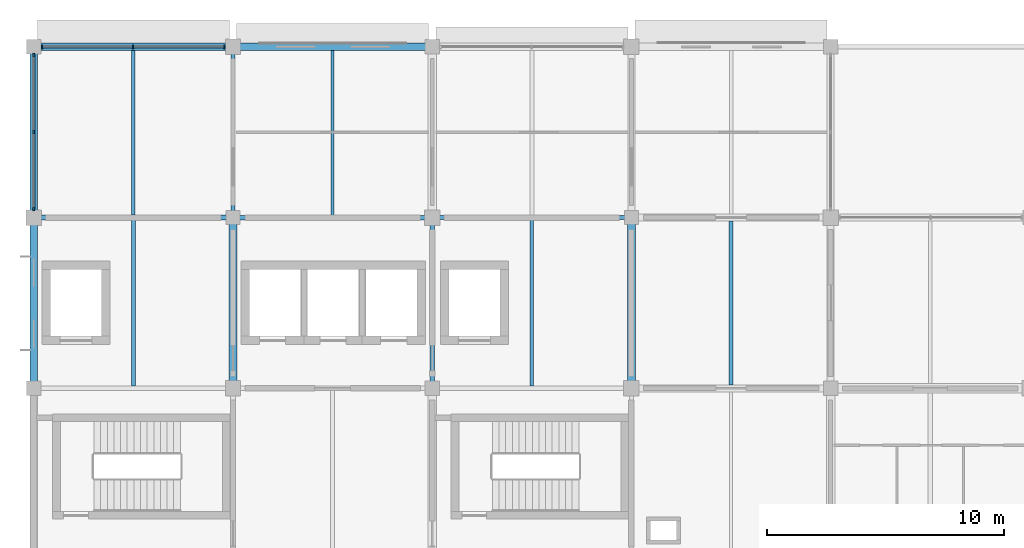
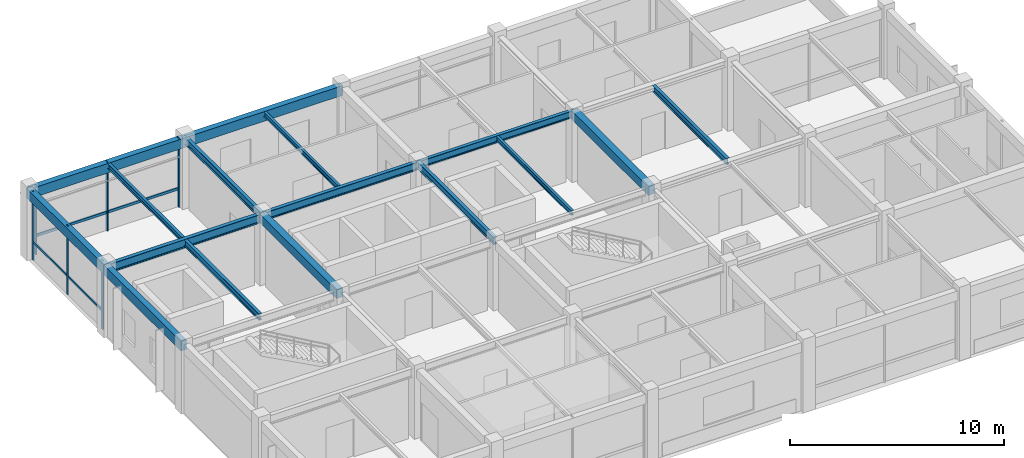
# One storey, part 4 of 13: 16 beams, 10 members, 2 elements without a shape of their own.
"""IFC4 building model written with IfcOpenShell, lengths in metres."""

from ifc_helpers import new_model, si_unit, derived_unit, direction, frame, origin, origin_2d, place, context, subcontext, project, spatial, rectangle, i_section, extrude, material, material_profile, profile_set, type_object, element, aggregate, save


model = new_model("IFC4")

# Units and contexts
model_context = context("Model", 3, precision=1e-05, world=origin(), true_north=direction((0.0, 1.0)))
body_context = subcontext(model_context, "Body", "Model", "MODEL_VIEW")
ifc_project = project(units=[si_unit("LENGTHUNIT", "METRE"), si_unit("AREAUNIT", "SQUARE_METRE"), si_unit("VOLUMEUNIT", "CUBIC_METRE"), si_unit("PLANEANGLEUNIT", "RADIAN"), si_unit("MASSUNIT", "GRAM", prefix="KILO"), derived_unit("THERMALTRANSMITTANCEUNIT", [(si_unit("MASSUNIT", "GRAM", prefix="KILO"), 1), (si_unit("TIMEUNIT", "SECOND"), -3), (si_unit("THERMODYNAMICTEMPERATUREUNIT", "KELVIN"), -1)])], contexts=[model_context])

# Site, building, storey
site_placement = place(None, origin())
site = spatial("IfcSite", under=ifc_project, at=site_placement, CompositionType="ELEMENT")
building_placement = place(site_placement, origin())
building = spatial("IfcBuilding", under=site, at=building_placement, Name="Veldstrom Oceanarium and Marine Research Institute", CompositionType="ELEMENT")
storey_placement = place(building_placement, frame((0.0, 0.0, 52.199951171875)))
storey = spatial("IfcBuildingStorey", under=building, at=storey_placement, Name="L11", CompositionType="ELEMENT", Elevation=52.199951171875)

# Curtain wall, members
ifc_material_1 = material(Name="Anodised Aluminium Framing", Category="aluminium")
curtain_wall_type_1 = type_object("IfcCurtainWallType", Name="ARC-CW-CW04", PredefinedType="USERDEFINED", material=ifc_material_1)
curtain_wall_1_placement = place(storey_placement, origin())
curtain_wall_1 = element("IfcCurtainWall", 1, at=curtain_wall_1_placement, inside=storey, type_object=curtain_wall_type_1, Name="Curtain Wall CW04 CW-L11-151", ObjectType="Curtain wall", PredefinedType="USERDEFINED")
ifc_material_2 = material(Name="Anodised Aluminium Framing", Category="aluminium")
ifc_material_profile_1 = material_profile(ifc_material_2, rectangle(XDim=0.06494140625, YDim=0.14990234375, at=origin_2d()), Name="ALU-MUL-65x150")
ifc_profile_set_1 = profile_set([ifc_material_profile_1], Name="Anodised Aluminium Framing")
member_type_1 = type_object("IfcMemberType", Name="ARC-MUL-ML2", PredefinedType="MULLION", material=ifc_profile_set_1)
member_1_placement = place(storey_placement, frame((75.93994140625, 72.0, 0.0), z_axis=(0.0, 0.0, 1.0), x_axis=(1.0, 0.0, 0.0)))
member_1 = element("IfcMember", 2, at=member_1_placement, type_object=member_type_1, Name="Curtain Wall Mullion CW-L11-151-MUL-1", PredefinedType="MULLION", context=body_context, shape_type="SweptSolid", body=[
    extrude(rectangle(XDim=0.06494140625, YDim=0.14990234375, at=origin_2d()), origin(), (0.0, 0.0, 1.0), 3.920166015625),
])
member_2_placement = place(storey_placement, frame((79.78759765625, 72.0, 0.0), z_axis=(0.0, 0.0, 1.0), x_axis=(1.0, 0.0, 0.0)))
member_2 = element("IfcMember", 3, at=member_2_placement, type_object=member_type_1, Name="Curtain Wall Mullion CW-L11-151-MUL-2", PredefinedType="MULLION", context=body_context, shape_type="SweptSolid", body=[
    extrude(rectangle(XDim=0.06494140625, YDim=0.14990234375, at=origin_2d()), origin(), (0.0, 0.0, 1.0), 3.920166015625),
])
member_3_placement = place(storey_placement, frame((83.635009765625, 72.0, 0.0), z_axis=(0.0, 0.0, 1.0), x_axis=(1.0, 0.0, 0.0)))
member_3 = element("IfcMember", 4, at=member_3_placement, type_object=member_type_1, Name="Curtain Wall Mullion CW-L11-151-MUL-3", PredefinedType="MULLION", context=body_context, shape_type="SweptSolid", body=[
    extrude(rectangle(XDim=0.06494140625, YDim=0.14990234375, at=origin_2d()), origin(), (0.0, 0.0, 1.0), 3.920166015625),
])

ifc_material_3 = material(Name="Anodised Aluminium Framing", Category="aluminium")
curtain_wall_type_2 = type_object("IfcCurtainWallType", Name="ARC-CW-CW08", PredefinedType="USERDEFINED", material=ifc_material_3)
curtain_wall_2_placement = place(storey_placement, origin())
curtain_wall_2 = element("IfcCurtainWall", 5, at=curtain_wall_2_placement, inside=storey, type_object=curtain_wall_type_2, Name="Curtain Wall CW08 CW-L11-152", ObjectType="Curtain wall", PredefinedType="USERDEFINED")
member_4_placement = place(storey_placement, frame((75.60009765625, 65.1650390625, 0.0), z_axis=(0.0, 0.0, 1.0), x_axis=(1.0, 0.0, 0.0)))
member_4 = element("IfcMember", 6, at=member_4_placement, type_object=member_type_1, Name="Curtain Wall Mullion CW-L11-152-MUL-1", PredefinedType="MULLION", context=body_context, shape_type="SweptSolid", body=[
    extrude(rectangle(XDim=0.06494140625, YDim=0.14990234375, at=origin_2d()), origin(), (0.0, 0.0, 1.0), 3.920166015625),
])
member_5_placement = place(storey_placement, frame((75.60009765625, 68.41259765625, 0.0), z_axis=(0.0, 0.0, 1.0), x_axis=(1.0, 0.0, 0.0)))
member_5 = element("IfcMember", 7, at=member_5_placement, type_object=member_type_1, Name="Curtain Wall Mullion CW-L11-152-MUL-2", PredefinedType="MULLION", context=body_context, shape_type="SweptSolid", body=[
    extrude(rectangle(XDim=0.06494140625, YDim=0.14990234375, at=origin_2d()), origin(), (0.0, 0.0, 1.0), 3.920166015625),
])
member_6_placement = place(storey_placement, frame((75.60009765625, 71.659912109375, 0.0), z_axis=(0.0, 0.0, 1.0), x_axis=(1.0, 0.0, 0.0)))
member_6 = element("IfcMember", 8, at=member_6_placement, type_object=member_type_1, Name="Curtain Wall Mullion CW-L11-152-MUL-3", PredefinedType="MULLION", context=body_context, shape_type="SweptSolid", body=[
    extrude(rectangle(XDim=0.06494140625, YDim=0.14990234375, at=origin_2d()), origin(), (0.0, 0.0, 1.0), 3.920166015625),
])

# Member
ifc_material_4 = material(Name="Anodised Aluminium Framing", Category="aluminium")
ifc_material_profile_2 = material_profile(ifc_material_4, rectangle(XDim=0.074951171875, YDim=0.14990234375, at=origin_2d()), Name="ALU-TRN-75x150")
ifc_profile_set_2 = profile_set([ifc_material_profile_2], Name="Anodised Aluminium Framing")
member_type_2 = type_object("IfcMemberType", Name="ARC-TRN-TR1", PredefinedType="USERDEFINED", material=ifc_profile_set_2)
member_7_placement = place(storey_placement, frame((75.97998046875, 72.0, 1.050048828125), z_axis=(1.0, 0.0, 0.0), x_axis=(0.0, 1.0, 0.0)))
member_7 = element("IfcMember", 9, at=member_7_placement, type_object=member_type_2, Name="Curtain Wall Transom CW-L11-151-TRN-1", ObjectType="Transom", PredefinedType="USERDEFINED", context=body_context, shape_type="SweptSolid", body=[
    extrude(rectangle(XDim=0.074951171875, YDim=0.14990234375, at=origin_2d()), origin(), (0.0, 0.0, 1.0), 3.767578125),
])

member_8_placement = place(storey_placement, frame((79.827392578125, 72.0, 1.050048828125), z_axis=(1.0, 0.0, 0.0), x_axis=(0.0, 1.0, 0.0)))
member_8 = element("IfcMember", 10, at=member_8_placement, type_object=member_type_2, Name="Curtain Wall Transom CW-L11-151-TRN-2", ObjectType="Transom", PredefinedType="USERDEFINED", context=body_context, shape_type="SweptSolid", body=[
    extrude(rectangle(XDim=0.074951171875, YDim=0.14990234375, at=origin_2d()), origin(), (0.0, 0.0, 1.0), 3.767578125),
])

aggregate(curtain_wall_1, [member_1, member_2, member_3, member_7, member_8])

ifc_material_5 = material(Name="Anodised Aluminium Framing", Category="aluminium")
ifc_material_profile_3 = material_profile(ifc_material_5, rectangle(XDim=0.06494140625, YDim=0.1201171875, at=origin_2d()), Name="ALU-TRN-65x120")
ifc_profile_set_3 = profile_set([ifc_material_profile_3], Name="Anodised Aluminium Framing")
member_type_3 = type_object("IfcMemberType", Name="ARC-TRN-TR2", PredefinedType="USERDEFINED", material=ifc_profile_set_3)
member_9_placement = place(storey_placement, frame((75.60009765625, 65.205078125, 1.050048828125), z_axis=(0.0, 1.0, 0.0), x_axis=(-1.0, 0.0, 0.0)))
member_9 = element("IfcMember", 11, at=member_9_placement, type_object=member_type_3, Name="Curtain Wall Transom CW-L11-152-TRN-1", ObjectType="Transom", PredefinedType="USERDEFINED", context=body_context, shape_type="SweptSolid", body=[
    extrude(rectangle(XDim=0.06494140625, YDim=0.1201171875, at=origin_2d()), origin(), (0.0, 0.0, 1.0), 3.16748046875),
])

member_10_placement = place(storey_placement, frame((75.60009765625, 68.452392578125, 1.050048828125), z_axis=(0.0, 1.0, 0.0), x_axis=(-1.0, 0.0, 0.0)))
member_10 = element("IfcMember", 12, at=member_10_placement, type_object=member_type_3, Name="Curtain Wall Transom CW-L11-152-TRN-2", ObjectType="Transom", PredefinedType="USERDEFINED", context=body_context, shape_type="SweptSolid", body=[
    extrude(rectangle(XDim=0.06494140625, YDim=0.1201171875, at=origin_2d()), origin(), (0.0, 0.0, 1.0), 3.167724609375),
])

aggregate(curtain_wall_2, [member_4, member_5, member_6, member_9, member_10])

# Beams
ifc_material_6 = material(Name="Concrete C40/50", Category="concrete")
ifc_material_profile_4 = material_profile(ifc_material_6, rectangle(XDim=0.35009765625, YDim=0.5, at=origin_2d()), Name="RC-BM-350x500")
ifc_profile_set_4 = profile_set([ifc_material_profile_4], Name="Concrete C40/50")
beam_type_1 = type_object("IfcBeamType", Name="STR-BM-B08", PredefinedType="BEAM", material=ifc_profile_set_4)
for number, where, z_axis, x_axis, name in (
    (13, (84.0, 57.60009765625, 3.6650390625), (0.0, 1.0, 0.0), (-1.0, 0.0, 0.0), "Primary Beam B08 L11-2635"),
    (14, (100.800048828125, 57.60009765625, 3.6650390625), (0.0, 1.0, 0.0), (-1.0, 0.0, 0.0), "Primary Beam B08 L11-2643"),
):
    element("IfcBeam", number, at=place(storey_placement, frame(where, z_axis=z_axis, x_axis=x_axis)), inside=storey, type_object=beam_type_1, Name=name, PredefinedType="BEAM", context=body_context, shape_type="SweptSolid", body=[
        extrude(rectangle(XDim=0.35009765625, YDim=0.5, at=origin_2d()), origin(), (0.0, 0.0, 1.0), 7.199951171875),
    ])
ifc_material_7 = material(Name="Steel S355JR", Category="steel")
ifc_material_profile_5 = material_profile(ifc_material_7, i_section(OverallWidth=0.199951171875, OverallDepth=0.5, WebThickness=0.01025390625, FlangeThickness=0.01611328125, FilletRadius=0.02099609375, at=origin_2d()), Name="IPE 500")
ifc_profile_set_5 = profile_set([ifc_material_profile_5], Name="Steel S355JR")
beam_type_2 = type_object("IfcBeamType", Name="STR-BM-SB6", PredefinedType="BEAM", material=ifc_profile_set_5)
beam_1_placement = place(storey_placement, frame((75.60009765625, 64.800048828125, 3.6650390625), z_axis=(1.0, 0.0, 0.0), x_axis=(0.0, 1.0, 0.0)))
element("IfcBeam", 15, at=beam_1_placement, inside=storey, type_object=beam_type_2, Name="Steel Floor Girder SB6 L11-2608", PredefinedType="BEAM", context=body_context, shape_type="SweptSolid", body=[
    extrude(i_section(OverallWidth=0.199951171875, OverallDepth=0.5, WebThickness=0.01025390625, FlangeThickness=0.01611328125, FilletRadius=0.02099609375, at=origin_2d()), origin(), (0.0, 0.0, 1.0), 8.39990234375),
])
ifc_material_8 = material(Name="Steel S355JR", Category="steel")
ifc_material_profile_6 = material_profile(ifc_material_8, i_section(OverallWidth=0.18994140625, OverallDepth=0.449951171875, WebThickness=0.009521484375, FlangeThickness=0.0146484375, FilletRadius=0.02099609375, at=origin_2d()), Name="IPE 450")
ifc_profile_set_6 = profile_set([ifc_material_profile_6], Name="Steel S355JR")
beam_type_3 = type_object("IfcBeamType", Name="STR-BM-SB7", PredefinedType="BEAM", material=ifc_profile_set_6)
beam_2_placement = place(storey_placement, frame((84.0, 64.800048828125, 3.68994140625), z_axis=(1.0, 0.0, 0.0), x_axis=(0.0, 1.0, 0.0)))
element("IfcBeam", 16, at=beam_2_placement, inside=storey, type_object=beam_type_3, Name="Steel Floor Girder SB7 L11-2613", PredefinedType="BEAM", context=body_context, shape_type="SweptSolid", body=[
    extrude(i_section(OverallWidth=0.18994140625, OverallDepth=0.449951171875, WebThickness=0.009521484375, FlangeThickness=0.0146484375, FilletRadius=0.02099609375, at=origin_2d()), origin(), (0.0, 0.0, 1.0), 8.39990234375),
])
ifc_material_9 = material(Name="Steel S355JR", Category="steel")
ifc_material_profile_7 = material_profile(ifc_material_9, i_section(OverallWidth=0.179931640625, OverallDepth=0.39990234375, WebThickness=0.008544921875, FlangeThickness=0.013427734375, FilletRadius=0.02099609375, at=origin_2d()), Name="IPE 400")
ifc_profile_set_7 = profile_set([ifc_material_profile_7], Name="Steel S355JR")
beam_type_4 = type_object("IfcBeamType", Name="STR-BM-SB8", PredefinedType="BEAM", material=ifc_profile_set_7)
beam_3_placement = place(storey_placement, frame((92.39990234375, 64.800048828125, 3.715087890625), z_axis=(1.0, 0.0, 0.0), x_axis=(0.0, 1.0, 0.0)))
element("IfcBeam", 17, at=beam_3_placement, inside=storey, type_object=beam_type_4, Name="Steel Floor Girder SB8 L11-2618", PredefinedType="BEAM", context=body_context, shape_type="SweptSolid", body=[
    extrude(i_section(OverallWidth=0.179931640625, OverallDepth=0.39990234375, WebThickness=0.008544921875, FlangeThickness=0.013427734375, FilletRadius=0.02099609375, at=origin_2d()), origin(), (0.0, 0.0, 1.0), 8.400146484375),
])
for number, where, z_axis, x_axis, name in (
    (18, (84.0, 64.800048828125, 3.715087890625), (0.0, 1.0, 0.0), (-1.0, 0.0, 0.0), "Steel Tie Beam SB8 L11-2636"),
    (19, (92.39990234375, 57.60009765625, 3.715087890625), (0.0, 1.0, 0.0), (-1.0, 0.0, 0.0), "Steel Tie Beam SB8 L11-2639"),
):
    element("IfcBeam", number, at=place(storey_placement, frame(where, z_axis=z_axis, x_axis=x_axis)), inside=storey, type_object=beam_type_4, Name=name, PredefinedType="BEAM", context=body_context, shape_type="SweptSolid", body=[
        extrude(i_section(OverallWidth=0.179931640625, OverallDepth=0.39990234375, WebThickness=0.008544921875, FlangeThickness=0.013427734375, FilletRadius=0.02099609375, at=origin_2d()), origin(), (0.0, 0.0, 1.0), 7.199951171875),
    ])
ifc_material_10 = material(Name="Steel S355JR", Category="steel")
ifc_material_profile_8 = material_profile(ifc_material_10, i_section(OverallWidth=0.169921875, OverallDepth=0.360107421875, WebThickness=0.008056640625, FlangeThickness=0.0126953125, FilletRadius=0.01806640625, at=origin_2d()), Name="IPE 360")
ifc_profile_set_8 = profile_set([ifc_material_profile_8], Name="Steel S355JR")
beam_type_5 = type_object("IfcBeamType", Name="STR-JST-SJ1", PredefinedType="JOIST", material=ifc_profile_set_8)
beam_4_placement = place(storey_placement, frame((79.800048828125, 57.699951171875, 3.735107421875), z_axis=(0.0, 1.0, 0.0), x_axis=(-1.0, 0.0, 0.0)))
element("IfcBeam", 20, at=beam_4_placement, inside=storey, type_object=beam_type_5, Name="Secondary Joist SJ1 L11-2653", PredefinedType="JOIST", context=body_context, shape_type="SweptSolid", body=[
    extrude(i_section(OverallWidth=0.169921875, OverallDepth=0.360107421875, WebThickness=0.008056640625, FlangeThickness=0.0126953125, FilletRadius=0.01806640625, at=origin_2d()), origin(), (0.0, 0.0, 1.0), 7.0),
])
beam_5_placement = place(storey_placement, frame((105.0, 57.75, 3.735107421875), z_axis=(0.0, 1.0, 0.0), x_axis=(-1.0, 0.0, 0.0)))
element("IfcBeam", 21, at=beam_5_placement, inside=storey, type_object=beam_type_5, Name="Secondary Joist SJ1 L11-2663", PredefinedType="JOIST", context=body_context, shape_type="SweptSolid", body=[
    extrude(i_section(OverallWidth=0.169921875, OverallDepth=0.360107421875, WebThickness=0.008056640625, FlangeThickness=0.0126953125, FilletRadius=0.01806640625, at=origin_2d()), origin(), (0.0, 0.0, 1.0), 6.89990234375),
])
ifc_material_11 = material(Name="Steel S355JR", Category="steel")
ifc_material_profile_9 = material_profile(ifc_material_11, i_section(OverallWidth=0.14990234375, OverallDepth=0.300048828125, WebThickness=0.007080078125, FlangeThickness=0.0107421875, FilletRadius=0.014892578125, at=origin_2d()), Name="IPE 300")
ifc_profile_set_9 = profile_set([ifc_material_profile_9], Name="Steel S355JR")
beam_type_6 = type_object("IfcBeamType", Name="STR-JST-SJ2", PredefinedType="JOIST", material=ifc_profile_set_9)
beam_6_placement = place(storey_placement, frame((79.800048828125, 64.89990234375, 3.76513671875), z_axis=(0.0, 1.0, 0.0), x_axis=(-1.0, 0.0, 0.0)))
element("IfcBeam", 22, at=beam_6_placement, inside=storey, type_object=beam_type_6, Name="Secondary Joist SJ2 L11-2654", PredefinedType="JOIST", context=body_context, shape_type="SweptSolid", body=[
    extrude(i_section(OverallWidth=0.14990234375, OverallDepth=0.300048828125, WebThickness=0.007080078125, FlangeThickness=0.0107421875, FilletRadius=0.014892578125, at=origin_2d()), origin(), (0.0, 0.0, 1.0), 6.9501953125),
])
ifc_material_12 = material(Name="Steel S355JR", Category="steel")
ifc_material_profile_10 = material_profile(ifc_material_12, i_section(OverallWidth=0.135009765625, OverallDepth=0.27001953125, WebThickness=0.006591796875, FlangeThickness=0.01025390625, FilletRadius=0.014892578125, at=origin_2d()), Name="IPE 270")
ifc_profile_set_10 = profile_set([ifc_material_profile_10], Name="Steel S355JR")
beam_type_7 = type_object("IfcBeamType", Name="STR-JST-SJ3", PredefinedType="JOIST", material=ifc_profile_set_10)
beam_7_placement = place(storey_placement, frame((88.199951171875, 64.89501953125, 3.780029296875), z_axis=(0.0, 1.0, 0.0), x_axis=(-1.0, 0.0, 0.0)))
element("IfcBeam", 23, at=beam_7_placement, inside=storey, type_object=beam_type_7, Name="Secondary Joist SJ3 L11-2657", PredefinedType="JOIST", context=body_context, shape_type="SweptSolid", body=[
    extrude(i_section(OverallWidth=0.135009765625, OverallDepth=0.27001953125, WebThickness=0.006591796875, FlangeThickness=0.01025390625, FilletRadius=0.014892578125, at=origin_2d()), origin(), (0.0, 0.0, 1.0), 6.955078125),
])
beam_8_placement = place(storey_placement, frame((96.60009765625, 57.68994140625, 3.780029296875), z_axis=(0.0, 1.0, 0.0), x_axis=(-1.0, 0.0, 0.0)))
element("IfcBeam", 24, at=beam_8_placement, inside=storey, type_object=beam_type_7, Name="Secondary Joist SJ3 L11-2659", PredefinedType="JOIST", context=body_context, shape_type="SweptSolid", body=[
    extrude(i_section(OverallWidth=0.135009765625, OverallDepth=0.27001953125, WebThickness=0.006591796875, FlangeThickness=0.01025390625, FilletRadius=0.014892578125, at=origin_2d()), origin(), (0.0, 0.0, 1.0), 7.02001953125),
])
ifc_material_13 = material(Name="Concrete C40/50", Category="concrete")
ifc_material_profile_11 = material_profile(ifc_material_13, rectangle(XDim=0.300048828125, YDim=0.550048828125, at=origin_2d()), Name="RC-SPN-300x550")
ifc_profile_set_11 = profile_set([ifc_material_profile_11], Name="Concrete C40/50")
beam_type_8 = type_object("IfcBeamType", Name="STR-SPN-SP2", PredefinedType="SPANDREL", material=ifc_profile_set_11)
for number, where, z_axis, x_axis, name in (
    (25, (75.60009765625, 72.0, 3.64013671875), (1.0, 0.0, 0.0), (0.0, 1.0, 0.0), "Perimeter Spandrel SPB2 L11-2609"),
    (26, (84.0, 72.0, 3.64013671875), (1.0, 0.0, 0.0), (0.0, 1.0, 0.0), "Perimeter Spandrel SPB2 L11-2614"),
):
    element("IfcBeam", number, at=place(storey_placement, frame(where, z_axis=z_axis, x_axis=x_axis)), inside=storey, type_object=beam_type_8, Name=name, PredefinedType="SPANDREL", context=body_context, shape_type="SweptSolid", body=[
        extrude(rectangle(XDim=0.300048828125, YDim=0.550048828125, at=origin_2d()), origin(), (0.0, 0.0, 1.0), 8.39990234375),
    ])
for number, where, z_axis, x_axis, name in (
    (27, (75.60009765625, 57.60009765625, 3.64013671875), (0.0, 1.0, 0.0), (-1.0, 0.0, 0.0), "Perimeter Spandrel SPB2 L11-2631"),
    (28, (75.60009765625, 64.800048828125, 3.64013671875), (0.0, 1.0, 0.0), (-1.0, 0.0, 0.0), "Perimeter Spandrel SPB2 L11-2632"),
):
    element("IfcBeam", number, at=place(storey_placement, frame(where, z_axis=z_axis, x_axis=x_axis)), inside=storey, type_object=beam_type_8, Name=name, PredefinedType="SPANDREL", context=body_context, shape_type="SweptSolid", body=[
        extrude(rectangle(XDim=0.300048828125, YDim=0.550048828125, at=origin_2d()), origin(), (0.0, 0.0, 1.0), 7.199951171875),
    ])

save(model, "model.ifc")
